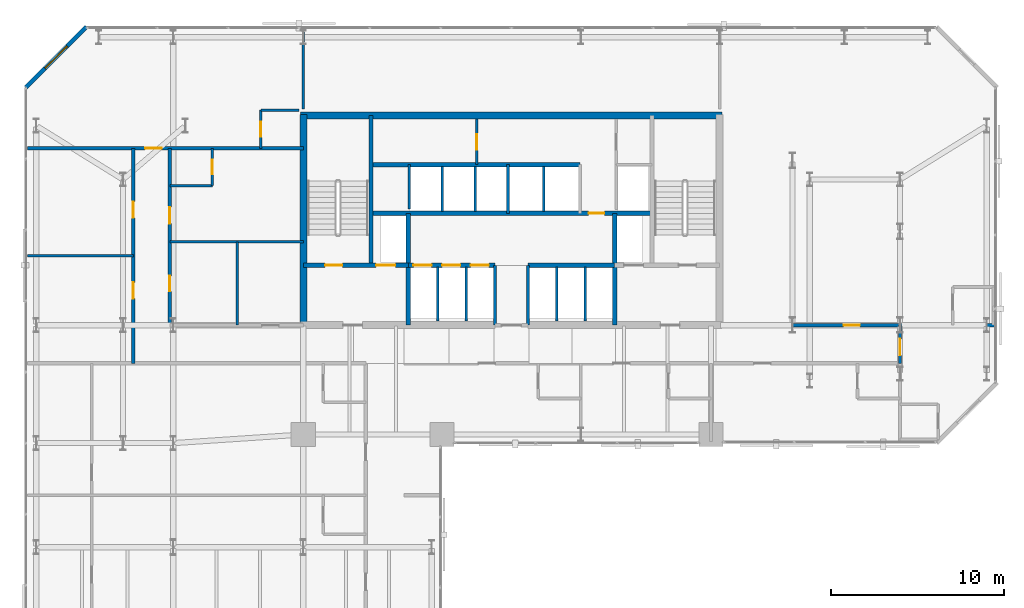
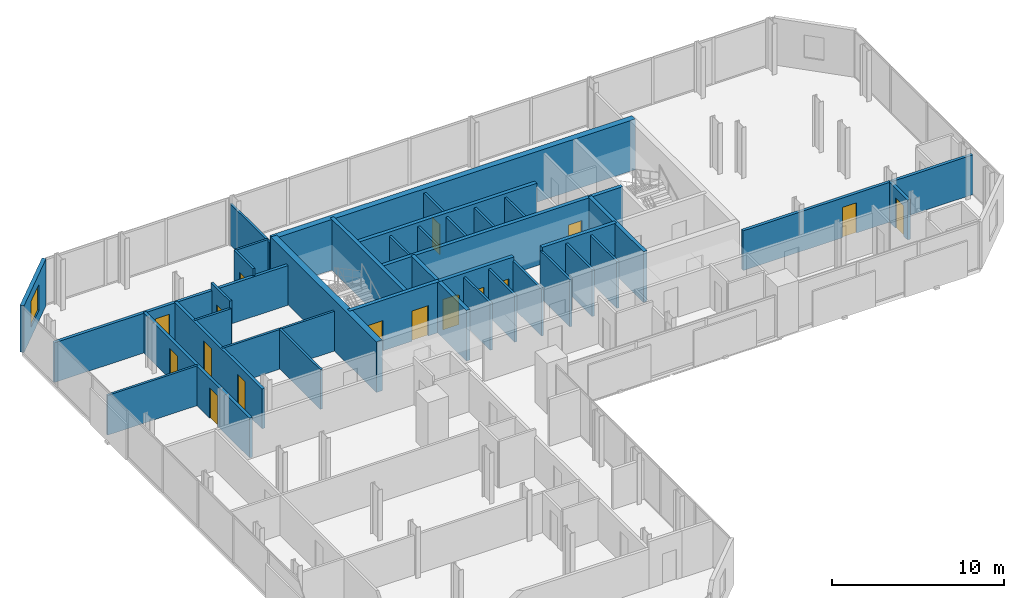
# One storey, part 30 of 33: 36 walls, 16 doors, 1 window, 17 openings.
"""IFC4 building model written with IfcOpenShell, lengths in metres."""

from ifc_helpers import new_model, si_unit, direction, frame, frame_2d, origin, place, context, subcontext, project, spatial, rectangle, extrude, material, layer, layer_set, type_object, element, fill, save


model = new_model("IFC4")

# Units and contexts
model_context = context("Model", 3, precision=1e-05, world=origin(), true_north=direction((0.0, 1.0)))
body_context = subcontext(model_context, "Body", "Model", "MODEL_VIEW")
ifc_project = project(units=[si_unit("LENGTHUNIT", "METRE"), si_unit("AREAUNIT", "SQUARE_METRE"), si_unit("VOLUMEUNIT", "CUBIC_METRE"), si_unit("PLANEANGLEUNIT", "RADIAN"), si_unit("MASSUNIT", "GRAM", prefix="KILO")], contexts=[model_context])

# Site, building, storey
site_placement = place(None, origin())
site = spatial("IfcSite", under=ifc_project, at=site_placement, CompositionType="ELEMENT")
building_placement = place(site_placement, origin())
building = spatial("IfcBuilding", under=site, at=building_placement, Name="Catumbela Crestline Tower", CompositionType="ELEMENT")
storey_placement = place(building_placement, frame((0.0, 0.0, 54.6)))
storey = spatial("IfcBuildingStorey", under=building, at=storey_placement, Name="L13", CompositionType="ELEMENT", Elevation=54.6)

# Walls
ifc_material_1 = material(Name="Concrete C50/60", Category="concrete")
ifc_layer_1 = layer(ifc_material_1, 0.25, Name="Concrete C50/60")
ifc_layer_set_1 = layer_set([ifc_layer_1], Name="Concrete C50/60")
wall_type_1 = type_object("IfcWallType", Name="CW-250D", PredefinedType="SHEAR", material=ifc_layer_set_1)
wall_1_placement = place(storey_placement, frame((19.9, 34.25, 0.0), z_axis=(0.0, 0.0, 1.0), x_axis=(0.0, 1.0, 0.0)))
element("IfcWall", 1, at=wall_1_placement, inside=storey, type_object=wall_type_1, Name="L13 Structural Core Shear Wall WWEB", PredefinedType="SHEAR", context=body_context, shape_type="SweptSolid", body=[
    extrude(rectangle(XDim=8.65, YDim=0.25, at=frame_2d((4.325, 0.0))), origin(), (0.0, 0.0, 1.0), 3.6),
])
for number, where, z_axis, x_axis, name in (
    (2, (22.05, 30.8, 0.0), (0.0, 0.0, 1.0), (0.0, 1.0, 0.0), "L13 Structural Core Shear Wall FFW"),
    (3, (33.95, 30.8, 0.0), (0.0, 0.0, 1.0), (0.0, 1.0, 0.0), "L13 Structural Core Shear Wall FFE"),
):
    element("IfcWall", number, at=place(storey_placement, frame(where, z_axis=z_axis, x_axis=x_axis)), inside=storey, type_object=wall_type_1, Name=name, PredefinedType="SHEAR", context=body_context, shape_type="SweptSolid", body=[
        extrude(rectangle(XDim=6.45, YDim=0.25, at=frame_2d((3.225, 0.0))), origin(), (0.0, 0.0, 1.0), 3.6),
    ])

# Wall, openings, doors
wall_2_placement = place(storey_placement, frame((16.0, 34.25, 0.0), z_axis=(0.0, 0.0, 1.0), x_axis=(1.0, 0.0, 0.0)))
wall_2 = element("IfcWall", 4, at=wall_2_placement, inside=storey, type_object=wall_type_1, Name="L13 Structural Core Shear Wall ST1S", PredefinedType="SHEAR", context=body_context, shape_type="SweptSolid", body=[
    extrude(rectangle(XDim=6.05, YDim=0.25, at=frame_2d((3.025, 0.0))), origin(), (0.0, 0.0, 1.0), 3.6),
])
opening_1_placement = place(wall_2_placement, frame((1.25, 0.0, 0.0)))
opening_1 = element("IfcOpeningElement", 5, at=opening_1_placement, cuts=wall_2, Name="Opening DF9-100", PredefinedType="OPENING", context=body_context, shape_type="SweptSolid", body=[
    extrude(rectangle(XDim=1.0, YDim=2.15, at=frame_2d((0.5, 1.075))), frame((0.0, 0.135, 0.0), z_axis=(0.0, -1.0, 0.0), x_axis=(1.0, 0.0, 0.0)), (0.0, 0.0, 1.0), 0.27),
])
opening_2_placement = place(wall_2_placement, frame((4.2, 0.0, 0.0)))
opening_2 = element("IfcOpeningElement", 6, at=opening_2_placement, cuts=wall_2, Name="Opening LD-110", PredefinedType="OPENING", context=body_context, shape_type="SweptSolid", body=[
    extrude(rectangle(XDim=1.1, YDim=2.15, at=frame_2d((0.55, 1.075))), frame((0.0, 0.135, 0.0), z_axis=(0.0, -1.0, 0.0), x_axis=(1.0, 0.0, 0.0)), (0.0, 0.0, 1.0), 0.27),
])
ifc_material_2 = material(Name="Stainless steel EN 1.4401", Category="steel")
door_type_1 = type_object("IfcDoorType", Name="DF9-100", OperationType="NOTDEFINED", PredefinedType="DOOR", material=ifc_material_2)
door_1_placement = place(opening_1_placement, origin())
door_1 = element("IfcDoor", 7, at=door_1_placement, inside=storey, type_object=door_type_1, Name="L13 Interior Door DR-L13-ST01", OperationType="SINGLE_SWING_LEFT", OverallHeight=2.15, OverallWidth=1.0, PredefinedType="DOOR", context=body_context, shape_type="SweptSolid", body=[
    extrude(rectangle(XDim=1.0, YDim=2.15, at=frame_2d((0.5, 1.075))), frame((0.0, 0.025, 0.0), z_axis=(0.0, -1.0, 0.0), x_axis=(1.0, 0.0, 0.0)), (0.0, 0.0, 1.0), 0.05),
])
fill(opening_1, door_1)
door_type_2 = type_object("IfcDoorType", Name="LD-110", OperationType="NOTDEFINED", PredefinedType="DOOR", material=ifc_material_2)
door_2_placement = place(opening_2_placement, origin())
door_2 = element("IfcDoor", 8, at=door_2_placement, inside=storey, type_object=door_type_2, Name="L13 Lift Landing Sliding Door FL-01", OperationType="DOUBLE_DOOR_SLIDING", OverallHeight=2.15, OverallWidth=1.1, PredefinedType="DOOR", context=body_context, shape_type="SweptSolid", body=[
    extrude(rectangle(XDim=1.1, YDim=2.15, at=frame_2d((0.55, 1.075))), frame((0.0, 0.025, 0.0), z_axis=(0.0, -1.0, 0.0), x_axis=(1.0, 0.0, 0.0)), (0.0, 0.0, 1.0), 0.05),
])
fill(opening_2, door_2)

wall_3_placement = place(storey_placement, frame((22.05, 34.25, 0.0), z_axis=(0.0, 0.0, 1.0), x_axis=(1.0, 0.0, 0.0)))
wall_3 = element("IfcWall", 9, at=wall_3_placement, inside=storey, type_object=wall_type_1, Name="L13 Structural Core Shear Wall LIFTS-W", PredefinedType="SHEAR", context=body_context, shape_type="SweptSolid", body=[
    extrude(rectangle(XDim=5.0, YDim=0.25, at=frame_2d((2.5, 0.0))), origin(), (0.0, 0.0, 1.0), 3.6),
])
opening_3_placement = place(wall_3_placement, frame((0.3, 0.0, 0.0)))
opening_3 = element("IfcOpeningElement", 10, at=opening_3_placement, cuts=wall_3, Name="Opening LD-105", PredefinedType="OPENING", context=body_context, shape_type="SweptSolid", body=[
    extrude(rectangle(XDim=1.05, YDim=2.15, at=frame_2d((0.525, 1.075))), frame((0.0, 0.135, 0.0), z_axis=(0.0, -1.0, 0.0), x_axis=(1.0, 0.0, 0.0)), (0.0, 0.0, 1.0), 0.27),
])
opening_4_placement = place(wall_3_placement, frame((1.95, 0.0, 0.0)))
opening_4 = element("IfcOpeningElement", 11, at=opening_4_placement, cuts=wall_3, Name="Opening LD-105", PredefinedType="OPENING", context=body_context, shape_type="SweptSolid", body=[
    extrude(rectangle(XDim=1.05, YDim=2.15, at=frame_2d((0.525, 1.075))), frame((0.0, 0.135, 0.0), z_axis=(0.0, -1.0, 0.0), x_axis=(1.0, 0.0, 0.0)), (0.0, 0.0, 1.0), 0.27),
])
opening_5_placement = place(wall_3_placement, frame((3.6, 0.0, 0.0)))
opening_5 = element("IfcOpeningElement", 12, at=opening_5_placement, cuts=wall_3, Name="Opening LD-105", PredefinedType="OPENING", context=body_context, shape_type="SweptSolid", body=[
    extrude(rectangle(XDim=1.05, YDim=2.15, at=frame_2d((0.525, 1.075))), frame((0.0, 0.135, 0.0), z_axis=(0.0, -1.0, 0.0), x_axis=(1.0, 0.0, 0.0)), (0.0, 0.0, 1.0), 0.27),
])
door_type_3 = type_object("IfcDoorType", Name="LD-105", OperationType="NOTDEFINED", PredefinedType="DOOR", material=ifc_material_2)
door_3_placement = place(opening_3_placement, origin())
door_3 = element("IfcDoor", 13, at=door_3_placement, inside=storey, type_object=door_type_3, Name="L13 Lift Landing Sliding Door PL-L1", OperationType="DOUBLE_DOOR_SLIDING", OverallHeight=2.15, OverallWidth=1.05, PredefinedType="DOOR", context=body_context, shape_type="SweptSolid", body=[
    extrude(rectangle(XDim=1.05, YDim=2.15, at=frame_2d((0.525, 1.075))), frame((0.0, 0.025, 0.0), z_axis=(0.0, -1.0, 0.0), x_axis=(1.0, 0.0, 0.0)), (0.0, 0.0, 1.0), 0.05),
])
fill(opening_3, door_3)
door_4_placement = place(opening_4_placement, origin())
door_4 = element("IfcDoor", 14, at=door_4_placement, inside=storey, type_object=door_type_3, Name="L13 Lift Landing Sliding Door PL-L2", OperationType="DOUBLE_DOOR_SLIDING", OverallHeight=2.15, OverallWidth=1.05, PredefinedType="DOOR", context=body_context, shape_type="SweptSolid", body=[
    extrude(rectangle(XDim=1.05, YDim=2.15, at=frame_2d((0.525, 1.075))), frame((0.0, 0.025, 0.0), z_axis=(0.0, -1.0, 0.0), x_axis=(1.0, 0.0, 0.0)), (0.0, 0.0, 1.0), 0.05),
])
fill(opening_4, door_4)
door_5_placement = place(opening_5_placement, origin())
door_5 = element("IfcDoor", 15, at=door_5_placement, inside=storey, type_object=door_type_3, Name="L13 Lift Landing Sliding Door PL-L3", OperationType="DOUBLE_DOOR_SLIDING", OverallHeight=2.15, OverallWidth=1.05, PredefinedType="DOOR", context=body_context, shape_type="SweptSolid", body=[
    extrude(rectangle(XDim=1.05, YDim=2.15, at=frame_2d((0.525, 1.075))), frame((0.0, 0.025, 0.0), z_axis=(0.0, -1.0, 0.0), x_axis=(1.0, 0.0, 0.0)), (0.0, 0.0, 1.0), 0.05),
])
fill(opening_5, door_5)

# Wall
wall_4_placement = place(storey_placement, frame((28.95, 34.25, 0.0), z_axis=(0.0, 0.0, 1.0), x_axis=(1.0, 0.0, 0.0)))
element("IfcWall", 16, at=wall_4_placement, inside=storey, type_object=wall_type_1, Name="L13 Structural Core Shear Wall LIFTS-E", PredefinedType="SHEAR", context=body_context, shape_type="SweptSolid", body=[
    extrude(rectangle(XDim=5.0, YDim=0.25, at=frame_2d((2.5, 0.0))), origin(), (0.0, 0.0, 1.0), 3.6),
])

# Wall, opening, door
wall_5_placement = place(storey_placement, frame((19.9, 37.25, 0.0), z_axis=(0.0, 0.0, 1.0), x_axis=(1.0, 0.0, 0.0)))
wall_5 = element("IfcWall", 17, at=wall_5_placement, inside=storey, type_object=wall_type_1, Name="L13 Structural Core Shear Wall LIFTN", PredefinedType="SHEAR", context=body_context, shape_type="SweptSolid", body=[
    extrude(rectangle(XDim=16.2, YDim=0.25, at=frame_2d((8.1, 0.0))), origin(), (0.0, 0.0, 1.0), 3.6),
])
opening_6_placement = place(wall_5_placement, frame((12.55, 0.0, 0.0)))
opening_6 = element("IfcOpeningElement", 18, at=opening_6_placement, cuts=wall_5, Name="Opening DF9-090", PredefinedType="OPENING", context=body_context, shape_type="SweptSolid", body=[
    extrude(rectangle(XDim=0.9, YDim=2.15, at=frame_2d((0.45, 1.075))), frame((0.0, 0.135, 0.0), z_axis=(0.0, -1.0, 0.0), x_axis=(1.0, 0.0, 0.0)), (0.0, 0.0, 1.0), 0.27),
])
door_type_4 = type_object("IfcDoorType", Name="DF9-090", OperationType="NOTDEFINED", PredefinedType="DOOR", material=ifc_material_2)
door_6_placement = place(opening_6_placement, origin())
door_6 = element("IfcDoor", 19, at=door_6_placement, inside=storey, type_object=door_type_4, Name="L13 Interior Door DR-L13-CPAS1", OperationType="SINGLE_SWING_LEFT", OverallHeight=2.15, OverallWidth=0.9, PredefinedType="DOOR", context=body_context, shape_type="SweptSolid", body=[
    extrude(rectangle(XDim=0.9, YDim=2.15, at=frame_2d((0.45, 1.075))), frame((0.0, 0.025, 0.0), z_axis=(0.0, -1.0, 0.0), x_axis=(1.0, 0.0, 0.0)), (0.0, 0.0, 1.0), 0.05),
])
fill(opening_6, door_6)

# Walls
wall_6_placement = place(storey_placement, frame((19.9, 40.05, 0.0), z_axis=(0.0, 0.0, 1.0), x_axis=(1.0, 0.0, 0.0)))
element("IfcWall", 20, at=wall_6_placement, inside=storey, type_object=wall_type_1, Name="L13 Structural Core Shear Wall COREN", PredefinedType="SHEAR", context=body_context, shape_type="SweptSolid", body=[
    extrude(rectangle(XDim=12.05, YDim=0.25, at=frame_2d((6.025, 0.0))), origin(), (0.0, 0.0, 1.0), 3.6),
])
ifc_material_3 = material(Name="Concrete C60/75", Category="concrete")
ifc_layer_2 = layer(ifc_material_3, 0.4, Name="Concrete C60/75")
ifc_layer_set_2 = layer_set([ifc_layer_2], Name="Concrete C60/75")
wall_type_2 = type_object("IfcWallType", Name="CW-400A", PredefinedType="SHEAR", material=ifc_layer_set_2)
wall_7_placement = place(storey_placement, frame((16.0, 30.65, 0.0), z_axis=(0.0, 0.0, 1.0), x_axis=(0.0, 1.0, 0.0)))
element("IfcWall", 21, at=wall_7_placement, inside=storey, type_object=wall_type_2, Name="L13 Structural Core Shear Wall W", PredefinedType="SHEAR", context=body_context, shape_type="SweptSolid", body=[
    extrude(rectangle(XDim=12.3, YDim=0.4, at=frame_2d((6.15, 0.0))), origin(), (0.0, 0.0, 1.0), 3.6),
])
wall_8_placement = place(storey_placement, frame((15.85, 42.9, 0.0), z_axis=(0.0, 0.0, 1.0), x_axis=(1.0, 0.0, 0.0)))
element("IfcWall", 22, at=wall_8_placement, inside=storey, type_object=wall_type_2, Name="L13 Structural Core Shear Wall N", PredefinedType="SHEAR", context=body_context, shape_type="SweptSolid", body=[
    extrude(rectangle(XDim=24.3, YDim=0.4, at=frame_2d((12.15, 0.0))), origin(), (0.0, 0.0, 1.0), 3.6),
])

# Wall, openings, doors
ifc_material_4 = material(Name="Acoustic gypsum and mineral-wool partition")
ifc_layer_3 = layer(ifc_material_4, 0.2, Name="Acoustic gypsum and mineral-wool partition")
ifc_layer_set_3 = layer_set([ifc_layer_3], Name="Acoustic gypsum and mineral-wool partition")
wall_type_3 = type_object("IfcWallType", Name="WC-200", PredefinedType="PARTITIONING", material=ifc_layer_set_3)
wall_9_placement = place(storey_placement, frame((8.3, 30.8, 0.0), z_axis=(0.0, 0.0, 1.0), x_axis=(0.0, 1.0, 0.0)))
wall_9 = element("IfcWall", 23, at=wall_9_placement, inside=storey, type_object=wall_type_3, Name="L13 Interior Partition PW-L13-AWC-W", PredefinedType="PARTITIONING", context=body_context, shape_type="SweptSolid", body=[
    extrude(rectangle(XDim=10.2, YDim=0.2, at=frame_2d((5.1, 0.0))), origin(), (0.0, 0.0, 1.0), 2.82),
])
opening_7_placement = place(wall_9_placement, frame((1.95, 0.0, 0.0)))
opening_7 = element("IfcOpeningElement", 24, at=opening_7_placement, cuts=wall_9, Name="Opening DI-090", PredefinedType="OPENING", context=body_context, shape_type="SweptSolid", body=[
    extrude(rectangle(XDim=0.9, YDim=2.15, at=frame_2d((0.45, 1.075))), frame((0.0, 0.11, 0.0), z_axis=(0.0, -1.0, 0.0), x_axis=(1.0, 0.0, 0.0)), (0.0, 0.0, 1.0), 0.22),
])
opening_8_placement = place(wall_9_placement, frame((5.8605, 0.0, 0.0)))
opening_8 = element("IfcOpeningElement", 25, at=opening_8_placement, cuts=wall_9, Name="Opening DF6-095", PredefinedType="OPENING", context=body_context, shape_type="SweptSolid", body=[
    extrude(rectangle(XDim=0.95, YDim=2.15, at=frame_2d((0.475, 1.075))), frame((0.0, 0.11, 0.0), z_axis=(0.0, -1.0, 0.0), x_axis=(1.0, 0.0, 0.0)), (0.0, 0.0, 1.0), 0.22),
])
ifc_material_5 = material(Name="Aluminium alloy AW-6060-T66", Category="aluminium")
door_type_5 = type_object("IfcDoorType", Name="DF6-095", OperationType="NOTDEFINED", PredefinedType="DOOR", material=ifc_material_5)
door_7_placement = place(opening_8_placement, origin())
door_7 = element("IfcDoor", 26, at=door_7_placement, inside=storey, type_object=door_type_5, Name="L13 Interior Door DR-L13-FSN-ENT", OperationType="SINGLE_SWING_RIGHT", OverallHeight=2.15, OverallWidth=0.95, PredefinedType="DOOR", context=body_context, shape_type="SweptSolid", body=[
    extrude(rectangle(XDim=0.95, YDim=2.15, at=frame_2d((0.475, 1.075))), frame((0.0, 0.025, 0.0), z_axis=(0.0, -1.0, 0.0), x_axis=(1.0, 0.0, 0.0)), (0.0, 0.0, 1.0), 0.05),
])
fill(opening_8, door_7)
door_type_6 = type_object("IfcDoorType", Name="DI-090", OperationType="NOTDEFINED", PredefinedType="DOOR", material=ifc_material_5)
door_8_placement = place(opening_7_placement, origin())
door_8 = element("IfcDoor", 27, at=door_8_placement, inside=storey, type_object=door_type_6, Name="L13 Interior Door DR-L13-STWC", OperationType="SINGLE_SWING_RIGHT", OverallHeight=2.15, OverallWidth=0.9, PredefinedType="DOOR", context=body_context, shape_type="SweptSolid", body=[
    extrude(rectangle(XDim=0.9, YDim=2.15, at=frame_2d((0.45, 1.075))), frame((0.0, 0.025, 0.0), z_axis=(0.0, -1.0, 0.0), x_axis=(1.0, 0.0, 0.0)), (0.0, 0.0, 1.0), 0.05),
])
fill(opening_7, door_8)

# Wall, opening, door
wall_10_placement = place(storey_placement, frame((0.1, 41.0, 0.0), z_axis=(0.0, 0.0, 1.0), x_axis=(1.0, 0.0, 0.0)))
wall_10 = element("IfcWall", 28, at=wall_10_placement, inside=storey, type_object=wall_type_3, Name="L13 Interior Partition PW-L13-NWTOP-ENT", PredefinedType="PARTITIONING", context=body_context, shape_type="SweptSolid", body=[
    extrude(rectangle(XDim=15.9, YDim=0.2, at=frame_2d((7.95, 0.0))), origin(), (0.0, 0.0, 1.0), 2.82),
])
opening_9_placement = place(wall_10_placement, frame((6.7788, 0.0, 0.0)))
opening_9 = element("IfcOpeningElement", 29, at=opening_9_placement, cuts=wall_10, Name="Opening DF6-095", PredefinedType="OPENING", context=body_context, shape_type="SweptSolid", body=[
    extrude(rectangle(XDim=0.95, YDim=2.15, at=frame_2d((0.475, 1.075))), frame((0.0, 0.11, 0.0), z_axis=(0.0, -1.0, 0.0), x_axis=(1.0, 0.0, 0.0)), (0.0, 0.0, 1.0), 0.22),
])
door_9_placement = place(opening_9_placement, origin())
door_9 = element("IfcDoor", 30, at=door_9_placement, inside=storey, type_object=door_type_5, Name="L13 Interior Door DR-L13-NWTOP-ENT", OperationType="SINGLE_SWING_LEFT", OverallHeight=2.15, OverallWidth=0.95, PredefinedType="DOOR", context=body_context, shape_type="SweptSolid", body=[
    extrude(rectangle(XDim=0.95, YDim=2.15, at=frame_2d((0.475, 1.075))), frame((0.0, 0.025, 0.0), z_axis=(0.0, -1.0, 0.0), x_axis=(1.0, 0.0, 0.0)), (0.0, 0.0, 1.0), 0.05),
])
fill(opening_9, door_9)

# Wall, openings, doors
wall_11_placement = place(storey_placement, frame((6.2, 28.6, 0.0), z_axis=(0.0, 0.0, 1.0), x_axis=(0.0, 1.0, 0.0)))
wall_11 = element("IfcWall", 31, at=wall_11_placement, inside=storey, type_object=wall_type_3, Name="L13 Interior Partition PW-L13-KCLB-ENT", PredefinedType="PARTITIONING", context=body_context, shape_type="SweptSolid", body=[
    extrude(rectangle(XDim=12.4, YDim=0.2, at=frame_2d((6.2, 0.0))), origin(), (0.0, 0.0, 1.0), 2.82),
])
opening_10_placement = place(wall_11_placement, frame((3.725, 0.0, 0.0)))
opening_10 = element("IfcOpeningElement", 32, at=opening_10_placement, cuts=wall_11, Name="Opening DF6-095", PredefinedType="OPENING", context=body_context, shape_type="SweptSolid", body=[
    extrude(rectangle(XDim=0.95, YDim=2.15, at=frame_2d((0.475, 1.075))), frame((0.0, 0.11, 0.0), z_axis=(0.0, -1.0, 0.0), x_axis=(1.0, 0.0, 0.0)), (0.0, 0.0, 1.0), 0.22),
])
opening_11_placement = place(wall_11_placement, frame((8.3808, 0.0, 0.0)))
opening_11 = element("IfcOpeningElement", 33, at=opening_11_placement, cuts=wall_11, Name="Opening DF6-095", PredefinedType="OPENING", context=body_context, shape_type="SweptSolid", body=[
    extrude(rectangle(XDim=0.95, YDim=2.15, at=frame_2d((0.475, 1.075))), frame((0.0, 0.11, 0.0), z_axis=(0.0, -1.0, 0.0), x_axis=(1.0, 0.0, 0.0)), (0.0, 0.0, 1.0), 0.22),
])
door_10_placement = place(opening_10_placement, origin())
door_10 = element("IfcDoor", 34, at=door_10_placement, inside=storey, type_object=door_type_5, Name="L13 Interior Door DR-L13-KCLB-ENT", OperationType="SINGLE_SWING_LEFT", OverallHeight=2.15, OverallWidth=0.95, PredefinedType="DOOR", context=body_context, shape_type="SweptSolid", body=[
    extrude(rectangle(XDim=0.95, YDim=2.15, at=frame_2d((0.475, 1.075))), frame((0.0, 0.025, 0.0), z_axis=(0.0, -1.0, 0.0), x_axis=(1.0, 0.0, 0.0)), (0.0, 0.0, 1.0), 0.05),
])
fill(opening_10, door_10)
door_11_placement = place(opening_11_placement, origin())
door_11 = element("IfcDoor", 35, at=door_11_placement, inside=storey, type_object=door_type_5, Name="L13 Interior Door DR-L13-FKIT-ENT", OperationType="SINGLE_SWING_LEFT", OverallHeight=2.15, OverallWidth=0.95, PredefinedType="DOOR", context=body_context, shape_type="SweptSolid", body=[
    extrude(rectangle(XDim=0.95, YDim=2.15, at=frame_2d((0.475, 1.075))), frame((0.0, 0.025, 0.0), z_axis=(0.0, -1.0, 0.0), x_axis=(1.0, 0.0, 0.0)), (0.0, 0.0, 1.0), 0.05),
])
fill(opening_11, door_11)

# Wall, opening, door
wall_12_placement = place(storey_placement, frame((40.47, 30.8, 0.0), z_axis=(0.0, 0.0, 1.0), x_axis=(1.0, 0.0, 0.0)))
wall_12 = element("IfcWall", 36, at=wall_12_placement, inside=storey, type_object=wall_type_3, Name="L13 Interior Partition PW-L13-NES-ENT", PredefinedType="PARTITIONING", context=body_context, shape_type="SweptSolid", body=[
    extrude(rectangle(XDim=15.43, YDim=0.2, at=frame_2d((7.715, 0.0))), origin(), (0.0, 0.0, 1.0), 2.82),
])
opening_12_placement = place(wall_12_placement, frame((6.6725, 0.0, 0.0)))
opening_12 = element("IfcOpeningElement", 37, at=opening_12_placement, cuts=wall_12, Name="Opening DF6-095", PredefinedType="OPENING", context=body_context, shape_type="SweptSolid", body=[
    extrude(rectangle(XDim=0.95, YDim=2.15, at=frame_2d((0.475, 1.075))), frame((0.0, 0.11, 0.0), z_axis=(0.0, -1.0, 0.0), x_axis=(1.0, 0.0, 0.0)), (0.0, 0.0, 1.0), 0.22),
])
door_12_placement = place(opening_12_placement, origin())
door_12 = element("IfcDoor", 38, at=door_12_placement, inside=storey, type_object=door_type_5, Name="L13 Interior Door DR-L13-NES-ENT", OperationType="SINGLE_SWING_LEFT", OverallHeight=2.15, OverallWidth=0.95, PredefinedType="DOOR", context=body_context, shape_type="SweptSolid", body=[
    extrude(rectangle(XDim=0.95, YDim=2.15, at=frame_2d((0.475, 1.075))), frame((0.0, 0.025, 0.0), z_axis=(0.0, -1.0, 0.0), x_axis=(1.0, 0.0, 0.0)), (0.0, 0.0, 1.0), 0.05),
])
fill(opening_12, door_12)

wall_13_placement = place(storey_placement, frame((50.4, 28.6, 0.0), z_axis=(0.0, 0.0, 1.0), x_axis=(0.0, 1.0, 0.0)))
wall_13 = element("IfcWall", 39, at=wall_13_placement, inside=storey, type_object=wall_type_3, Name="L13 Interior Partition PW-L13-NESE-ENT", PredefinedType="PARTITIONING", context=body_context, shape_type="SweptSolid", body=[
    extrude(rectangle(XDim=2.2, YDim=0.2, at=frame_2d((1.1, 0.0))), origin(), (0.0, 0.0, 1.0), 2.82),
])
opening_13_placement = place(wall_13_placement, frame((0.46, 0.0, 0.0)))
opening_13 = element("IfcOpeningElement", 40, at=opening_13_placement, cuts=wall_13, Name="Opening DF6-095", PredefinedType="OPENING", context=body_context, shape_type="SweptSolid", body=[
    extrude(rectangle(XDim=0.95, YDim=2.15, at=frame_2d((0.475, 1.075))), frame((0.0, 0.11, 0.0), z_axis=(0.0, -1.0, 0.0), x_axis=(1.0, 0.0, 0.0)), (0.0, 0.0, 1.0), 0.22),
])
door_13_placement = place(opening_13_placement, origin())
door_13 = element("IfcDoor", 41, at=door_13_placement, inside=storey, type_object=door_type_5, Name="L13 Interior Door DR-L13-NESE-ENT", OperationType="SINGLE_SWING_RIGHT", OverallHeight=2.15, OverallWidth=0.95, PredefinedType="DOOR", context=body_context, shape_type="SweptSolid", body=[
    extrude(rectangle(XDim=0.95, YDim=2.15, at=frame_2d((0.475, 1.075))), frame((0.0, 0.025, 0.0), z_axis=(0.0, -1.0, 0.0), x_axis=(1.0, 0.0, 0.0)), (0.0, 0.0, 1.0), 0.05),
])
fill(opening_13, door_13)

# Wall, opening, window
ifc_material_6 = material(Name="Angolan grey-ochre granite", Category="masonry")
ifc_layer_4 = layer(ifc_material_6, 0.25, Name="Angolan grey-ochre granite")
ifc_layer_set_4 = layer_set([ifc_layer_4], Name="Angolan grey-ochre granite")
wall_type_4 = type_object("IfcWallType", Name="WE-250", PredefinedType="STANDARD", material=ifc_layer_set_4)
wall_14_placement = place(storey_placement, frame((3.5, 48.0, 0.0), z_axis=(0.0, 0.0, 1.0), x_axis=(-0.707106781187, -0.707106781187, 0.0)))
wall_14 = element("IfcWall", 42, at=wall_14_placement, inside=storey, type_object=wall_type_4, Name="L13 Granite Punched Window Wall 8-1", PredefinedType="STANDARD", context=body_context, shape_type="SweptSolid", body=[
    extrude(rectangle(XDim=4.9497, YDim=0.25, at=frame_2d((2.4748, 0.0))), origin(), (0.0, 0.0, 1.0), 3.33),
])
opening_14_placement = place(wall_14_placement, frame((1.5749, 0.0, 0.75)))
opening_14 = element("IfcOpeningElement", 43, at=opening_14_placement, cuts=wall_14, Name="Opening WN-01", PredefinedType="OPENING", context=body_context, shape_type="SweptSolid", body=[
    extrude(rectangle(XDim=1.8, YDim=1.85, at=frame_2d((0.9, 0.925))), frame((0.0, 0.135, 0.0), z_axis=(0.0, -1.0, 0.0), x_axis=(1.0, 0.0, 0.0)), (0.0, 0.0, 1.0), 0.27),
])
ifc_material_7 = material(Name="Low-E laminated solar-control double glazing", Category="glass")
window_type = type_object("IfcWindowType", Name="WF-1800", PartitioningType="SINGLE_PANEL", PredefinedType="WINDOW", material=ifc_material_7)
window_placement = place(opening_14_placement, origin())
window = element("IfcWindow", 44, at=window_placement, inside=storey, type_object=window_type, Name="L13 Facade Vision Window 91", OverallHeight=1.85, OverallWidth=1.8, PartitioningType="SINGLE_PANEL", PredefinedType="WINDOW", context=body_context, shape_type="SweptSolid", body=[
    extrude(rectangle(XDim=1.8, YDim=1.85, at=frame_2d((0.9, 0.925))), frame((0.0, 0.03, 0.0), z_axis=(0.0, -1.0, 0.0), x_axis=(1.0, 0.0, 0.0)), (0.0, 0.0, 1.0), 0.06),
])
fill(opening_14, window)

# Wall, opening, door
ifc_layer_5 = layer(ifc_material_4, 0.15, Name="Acoustic gypsum and mineral-wool partition")
ifc_layer_set_5 = layer_set([ifc_layer_5], Name="Acoustic gypsum and mineral-wool partition")
wall_type_5 = type_object("IfcWallType", Name="WP-150", PredefinedType="PARTITIONING", material=ifc_layer_set_5)
wall_15_placement = place(storey_placement, frame((26.0, 40.05, 0.0), z_axis=(0.0, 0.0, 1.0), x_axis=(0.0, 1.0, 0.0)))
wall_15 = element("IfcWall", 45, at=wall_15_placement, inside=storey, type_object=wall_type_5, Name="L13 Interior Partition PW-L13-CR-WW", PredefinedType="PARTITIONING", context=body_context, shape_type="SweptSolid", body=[
    extrude(rectangle(XDim=2.63, YDim=0.15, at=frame_2d((1.315, 0.0))), origin(), (0.0, 0.0, 1.0), 3.33),
])
opening_15_placement = place(wall_15_placement, frame((0.865, 0.0, 0.0)))
opening_15 = element("IfcOpeningElement", 46, at=opening_15_placement, cuts=wall_15, Name="Opening DF9-090", PredefinedType="OPENING", context=body_context, shape_type="SweptSolid", body=[
    extrude(rectangle(XDim=0.9, YDim=2.15, at=frame_2d((0.45, 1.075))), frame((0.0, 0.085, 0.0), z_axis=(0.0, -1.0, 0.0), x_axis=(1.0, 0.0, 0.0)), (0.0, 0.0, 1.0), 0.17),
])
door_14_placement = place(opening_15_placement, origin())
door_14 = element("IfcDoor", 47, at=door_14_placement, inside=storey, type_object=door_type_4, Name="L13 Interior Door DR-L13-CRWEST", OperationType="SINGLE_SWING_LEFT", OverallHeight=2.15, OverallWidth=0.9, PredefinedType="DOOR", context=body_context, shape_type="SweptSolid", body=[
    extrude(rectangle(XDim=0.9, YDim=2.15, at=frame_2d((0.45, 1.075))), frame((0.0, 0.025, 0.0), z_axis=(0.0, -1.0, 0.0), x_axis=(1.0, 0.0, 0.0)), (0.0, 0.0, 1.0), 0.05),
])
fill(opening_15, door_14)

# Walls
wall_16_placement = place(storey_placement, frame((8.3, 35.6, 0.0), z_axis=(0.0, 0.0, 1.0), x_axis=(1.0, 0.0, 0.0)))
element("IfcWall", 48, at=wall_16_placement, inside=storey, type_object=wall_type_5, Name="L13 Interior Partition PW-L13-HK-N", PredefinedType="PARTITIONING", context=body_context, shape_type="SweptSolid", body=[
    extrude(rectangle(XDim=7.7, YDim=0.15, at=frame_2d((3.85, 0.0))), origin(), (0.0, 0.0, 1.0), 2.82),
])
wall_17_placement = place(storey_placement, frame((12.2, 30.8, 0.0), z_axis=(0.0, 0.0, 1.0), x_axis=(0.0, 1.0, 0.0)))
element("IfcWall", 49, at=wall_17_placement, inside=storey, type_object=wall_type_5, Name="L13 Interior Partition PW-L13-HK-M", PredefinedType="PARTITIONING", context=body_context, shape_type="SweptSolid", body=[
    extrude(rectangle(XDim=4.8, YDim=0.15, at=frame_2d((2.4, 0.0))), origin(), (0.0, 0.0, 1.0), 2.82),
])
wall_18_placement = place(storey_placement, frame((13.55, 43.2, 0.0), z_axis=(0.0, 0.0, 1.0), x_axis=(1.0, 0.0, 0.0)))
element("IfcWall", 50, at=wall_18_placement, inside=storey, type_object=wall_type_5, Name="L13 Interior Partition PW-L13-NWTOP-BHW", PredefinedType="PARTITIONING", context=body_context, shape_type="SweptSolid", body=[
    extrude(rectangle(XDim=2.1897, YDim=0.15, at=frame_2d((1.0949, 0.0))), origin(), (0.0, 0.0, 1.0), 3.33),
])

# Wall, opening, door
wall_19_placement = place(storey_placement, frame((13.55, 41.0, 0.0), z_axis=(0.0, 0.0, 1.0), x_axis=(0.0, 1.0, 0.0)))
wall_19 = element("IfcWall", 51, at=wall_19_placement, inside=storey, type_object=wall_type_5, Name="L13 Interior Partition PW-L13-NWTOP-BWW", PredefinedType="PARTITIONING", context=body_context, shape_type="SweptSolid", body=[
    extrude(rectangle(XDim=2.2, YDim=0.15, at=frame_2d((1.1, 0.0))), origin(), (0.0, 0.0, 1.0), 3.33),
])
opening_16_placement = place(wall_19_placement, frame((0.675, 0.0, 0.0)))
opening_16 = element("IfcOpeningElement", 52, at=opening_16_placement, cuts=wall_19, Name="Opening DI-085", PredefinedType="OPENING", context=body_context, shape_type="SweptSolid", body=[
    extrude(rectangle(XDim=0.85, YDim=2.15, at=frame_2d((0.425, 1.075))), frame((0.0, 0.085, 0.0), z_axis=(0.0, -1.0, 0.0), x_axis=(1.0, 0.0, 0.0)), (0.0, 0.0, 1.0), 0.17),
])
door_type_7 = type_object("IfcDoorType", Name="DI-085", OperationType="NOTDEFINED", PredefinedType="DOOR", material=ifc_material_5)
door_15_placement = place(opening_16_placement, origin())
door_15 = element("IfcDoor", 53, at=door_15_placement, inside=storey, type_object=door_type_7, Name="L13 Interior Door DR-L13-NWTOP-BTH", OperationType="SINGLE_SWING_RIGHT", OverallHeight=2.15, OverallWidth=0.85, PredefinedType="DOOR", context=body_context, shape_type="SweptSolid", body=[
    extrude(rectangle(XDim=0.85, YDim=2.15, at=frame_2d((0.425, 1.075))), frame((0.0, 0.025, 0.0), z_axis=(0.0, -1.0, 0.0), x_axis=(1.0, 0.0, 0.0)), (0.0, 0.0, 1.0), 0.05),
])
fill(opening_16, door_15)

# Walls
wall_20_placement = place(storey_placement, frame((0.1, 34.8, 0.0), z_axis=(0.0, 0.0, 1.0), x_axis=(1.0, 0.0, 0.0)))
element("IfcWall", 54, at=wall_20_placement, inside=storey, type_object=wall_type_5, Name="L13 Interior Partition PW-L13-G2-1", PredefinedType="PARTITIONING", context=body_context, shape_type="SweptSolid", body=[
    extrude(rectangle(XDim=6.1, YDim=0.15, at=frame_2d((3.05, 0.0))), origin(), (0.0, 0.0, 1.0), 2.82),
])
wall_21_placement = place(storey_placement, frame((8.3, 38.84, 0.0), z_axis=(0.0, 0.0, 1.0), x_axis=(1.0, 0.0, 0.0)))
element("IfcWall", 55, at=wall_21_placement, inside=storey, type_object=wall_type_5, Name="L13 Interior Partition PW-L13-FSN-BSW", PredefinedType="PARTITIONING", context=body_context, shape_type="SweptSolid", body=[
    extrude(rectangle(XDim=2.45, YDim=0.15, at=frame_2d((1.225, 0.0))), origin(), (0.0, 0.0, 1.0), 2.82),
])

# Wall, opening, door
wall_22_placement = place(storey_placement, frame((10.75, 38.84, 0.0), z_axis=(0.0, 0.0, 1.0), x_axis=(0.0, 1.0, 0.0)))
wall_22 = element("IfcWall", 56, at=wall_22_placement, inside=storey, type_object=wall_type_5, Name="L13 Interior Partition PW-L13-FSN-BEW", PredefinedType="PARTITIONING", context=body_context, shape_type="SweptSolid", body=[
    extrude(rectangle(XDim=2.16, YDim=0.15, at=frame_2d((1.08, 0.0))), origin(), (0.0, 0.0, 1.0), 3.33),
])
opening_17_placement = place(wall_22_placement, frame((0.655, 0.0, 0.0)))
opening_17 = element("IfcOpeningElement", 57, at=opening_17_placement, cuts=wall_22, Name="Opening DI-085", PredefinedType="OPENING", context=body_context, shape_type="SweptSolid", body=[
    extrude(rectangle(XDim=0.85, YDim=2.15, at=frame_2d((0.425, 1.075))), frame((0.0, 0.085, 0.0), z_axis=(0.0, -1.0, 0.0), x_axis=(1.0, 0.0, 0.0)), (0.0, 0.0, 1.0), 0.17),
])
door_16_placement = place(opening_17_placement, origin())
door_16 = element("IfcDoor", 58, at=door_16_placement, inside=storey, type_object=door_type_7, Name="L13 Interior Door DR-L13-FSN-BTH", OperationType="SINGLE_SWING_LEFT", OverallHeight=2.15, OverallWidth=0.85, PredefinedType="DOOR", context=body_context, shape_type="SweptSolid", body=[
    extrude(rectangle(XDim=0.85, YDim=2.15, at=frame_2d((0.425, 1.075))), frame((0.0, 0.025, 0.0), z_axis=(0.0, -1.0, 0.0), x_axis=(1.0, 0.0, 0.0)), (0.0, 0.0, 1.0), 0.05),
])
fill(opening_17, door_16)

# Walls
wall_23_placement = place(storey_placement, frame((16.0, 43.27, 0.0), z_axis=(0.0, 0.0, 1.0), x_axis=(0.0, 1.0, 0.0)))
element("IfcWall", 59, at=wall_23_placement, inside=storey, type_object=wall_type_5, Name="L13 Interior Partition PW-L13-NCF-W", PredefinedType="PARTITIONING", context=body_context, shape_type="SweptSolid", body=[
    extrude(rectangle(XDim=4.63, YDim=0.15, at=frame_2d((2.315, 0.0))), origin(), (0.0, 0.0, 1.0), 2.93),
])
ifc_layer_6 = layer(ifc_material_4, 0.15, Name="Acoustic gypsum and mineral-wool partition")
ifc_layer_set_6 = layer_set([ifc_layer_6], Name="Acoustic gypsum and mineral-wool partition")
wall_type_6 = type_object("IfcWallType", Name="WS-150", PredefinedType="PLUMBINGWALL", material=ifc_layer_set_6)
for number, where, z_axis, x_axis, name in (
    (60, (27.05, 30.8, 0.0), (0.0, 0.0, 1.0), (0.0, 1.0, 0.0), "L13 Interior Partition PW-L13-THRW"),
    (61, (28.95, 30.8, 0.0), (0.0, 0.0, 1.0), (0.0, 1.0, 0.0), "L13 Interior Partition PW-L13-THRE"),
):
    element("IfcWall", number, at=place(storey_placement, frame(where, z_axis=z_axis, x_axis=x_axis)), inside=storey, type_object=wall_type_6, Name=name, PredefinedType="PLUMBINGWALL", context=body_context, shape_type="SweptSolid", body=[
        extrude(rectangle(XDim=3.45, YDim=0.15, at=frame_2d((1.725, 0.0))), origin(), (0.0, 0.0, 1.0), 3.33),
    ])
for number, where, z_axis, x_axis, name in (
    (62, (23.75, 31.05, 0.0), (0.0, 0.0, 1.0), (0.0, 1.0, 0.0), "L13 Interior Partition PW-L13-SHL1"),
    (63, (25.4, 31.05, 0.0), (0.0, 0.0, 1.0), (0.0, 1.0, 0.0), "L13 Interior Partition PW-L13-SHL2"),
    (64, (30.6, 31.05, 0.0), (0.0, 0.0, 1.0), (0.0, 1.0, 0.0), "L13 Interior Partition PW-L13-SHM1"),
    (65, (32.25, 31.05, 0.0), (0.0, 0.0, 1.0), (0.0, 1.0, 0.0), "L13 Interior Partition PW-L13-SHM2"),
):
    element("IfcWall", number, at=place(storey_placement, frame(where, z_axis=z_axis, x_axis=x_axis)), inside=storey, type_object=wall_type_6, Name=name, PredefinedType="PLUMBINGWALL", context=body_context, shape_type="SweptSolid", body=[
        extrude(rectangle(XDim=3.1, YDim=0.15, at=frame_2d((1.55, 0.0))), origin(), (0.0, 0.0, 1.0), 3.33),
    ])
wall_24_placement = place(storey_placement, frame((22.1, 37.4897, 0.0), z_axis=(0.0, 0.0, 1.0), x_axis=(0.0, 1.0, 0.0)))
element("IfcWall", 66, at=wall_24_placement, inside=storey, type_object=wall_type_6, Name="L13 Interior Partition PW-L13-SHH0", PredefinedType="PLUMBINGWALL", context=body_context, shape_type="SweptSolid", body=[
    extrude(rectangle(XDim=2.5603, YDim=0.15, at=frame_2d((1.2801, 0.0))), origin(), (0.0, 0.0, 1.0), 3.33),
])
wall_25_placement = place(storey_placement, frame((27.8, 37.25, 0.0), z_axis=(0.0, 0.0, 1.0), x_axis=(0.0, 1.0, 0.0)))
element("IfcWall", 67, at=wall_25_placement, inside=storey, type_object=wall_type_6, Name="L13 Interior Partition PW-L13-SHH3", PredefinedType="PLUMBINGWALL", context=body_context, shape_type="SweptSolid", body=[
    extrude(rectangle(XDim=2.8, YDim=0.15, at=frame_2d((1.4, 0.0))), origin(), (0.0, 0.0, 1.0), 3.33),
])
for number, where, z_axis, x_axis, name in (
    (68, (24.0, 37.35, 0.0), (0.0, 0.0, 1.0), (0.0, 1.0, 0.0), "L13 Interior Partition PW-L13-SHH1"),
    (69, (25.9, 37.35, 0.0), (0.0, 0.0, 1.0), (0.0, 1.0, 0.0), "L13 Interior Partition PW-L13-SHH2"),
    (70, (29.85, 37.35, 0.0), (0.0, 0.0, 1.0), (0.0, 1.0, 0.0), "L13 Interior Partition PW-L13-SHEX1"),
):
    element("IfcWall", number, at=place(storey_placement, frame(where, z_axis=z_axis, x_axis=x_axis)), inside=storey, type_object=wall_type_6, Name=name, PredefinedType="PLUMBINGWALL", context=body_context, shape_type="SweptSolid", body=[
        extrude(rectangle(XDim=2.6, YDim=0.15, at=frame_2d((1.3, 0.0))), origin(), (0.0, 0.0, 1.0), 3.33),
    ])

save(model, "model.ifc")
